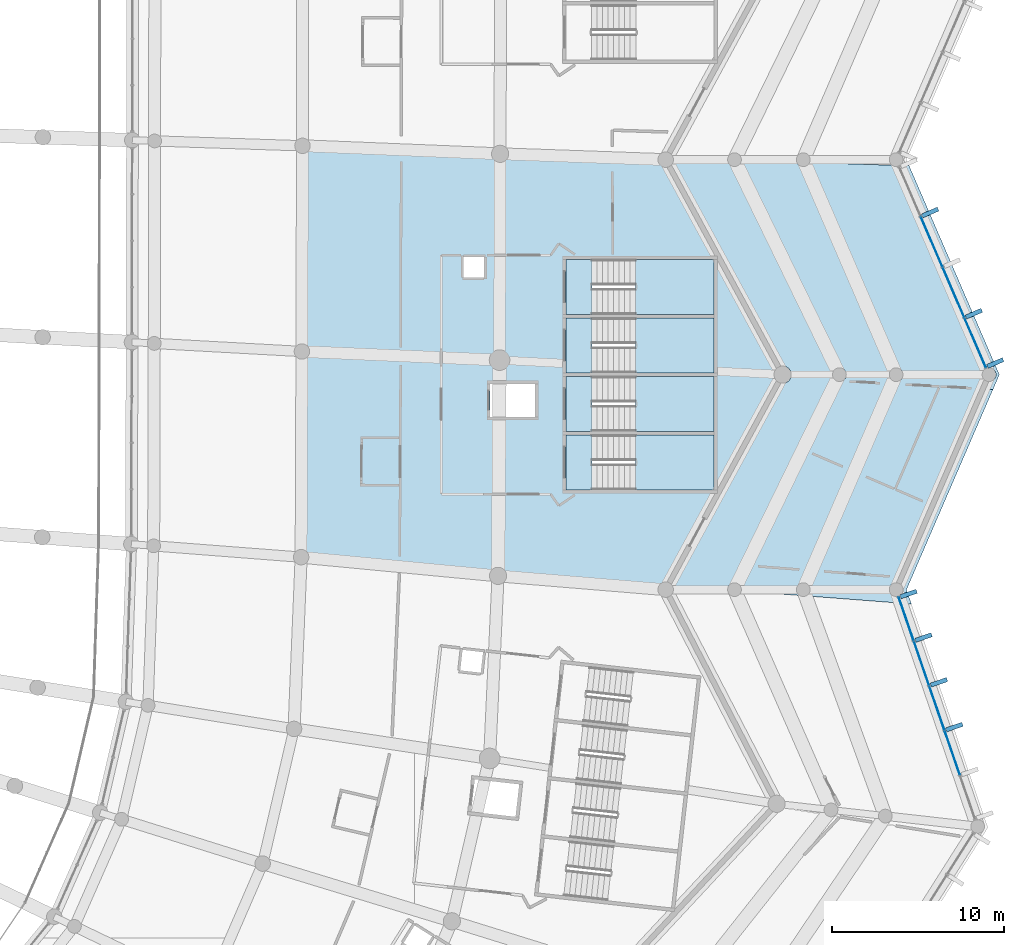
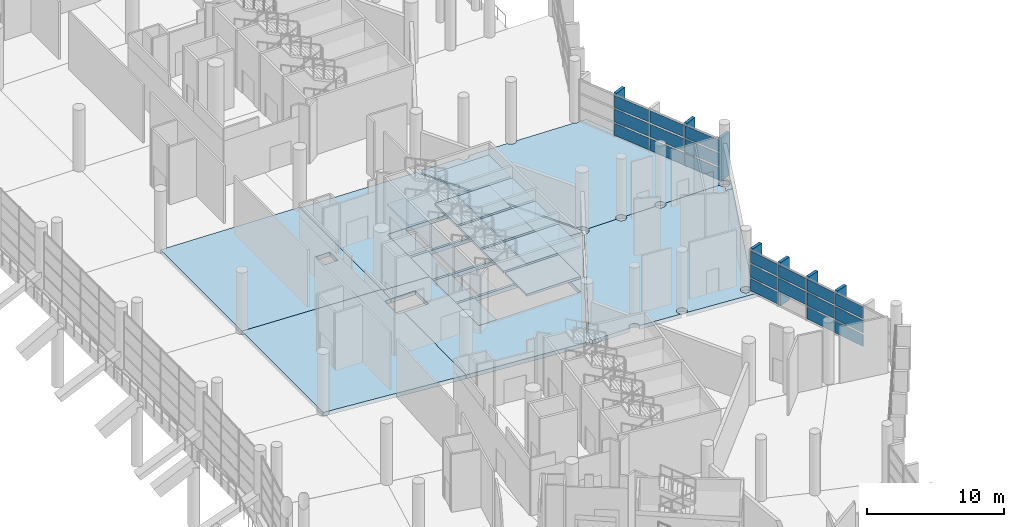
# One storey, part 134 of 271: 27 plates, 22 slabs, 6 elements without a shape of their own.
"""IFC4 building model written with IfcOpenShell, lengths in metres."""

import ifcopenshell
import ifcopenshell.guid

model = None  # the IFC model being written
_history = None  # IfcOwnerHistory: only IFC2X3 demands one
_inside = {}  # id of a spatial element -> (the spatial element, [elements in it])
_under = {}  # id of a project, library or spatial element -> (it, [spatial elements below it])
_declared = {}  # id of a project -> (the project, [libraries it declares])
_typed = {}  # id of a type object -> (the type object, [elements of that type])
_made_of = {}  # id of a material, layer set ... -> (it, [elements and type objects made of it])


def new_model(schema):
    """Start an empty IFC model of exactly this schema.

    Asked for "IFC4X3", IfcOpenShell would pick the latest addendum, in which some entities
    have other attributes; the version numbers below select the first issue.
    IFC2X3 requires an IfcOwnerHistory on every rooted entity: one is made here for all.
    """
    global model, _history
    if schema == "IFC4X3":
        model = ifcopenshell.file(schema_version=(4, 3, 0, 0))
    else:
        model = ifcopenshell.file(schema=schema)
    _inside.clear()
    _under.clear()
    _declared.clear()
    _typed.clear()
    _made_of.clear()
    _history = None
    if model.schema == "IFC2X3":
        org = make("IfcOrganization", Name="unknown")
        user = make(
            "IfcPersonAndOrganization",
            ThePerson=make("IfcPerson", FamilyName="unknown"),
            TheOrganization=org,
        )
        app = make(
            "IfcApplication",
            ApplicationDeveloper=org,
            Version="unknown",
            ApplicationFullName="unknown",
            ApplicationIdentifier="unknown",
        )
        _history = make(
            "IfcOwnerHistory",
            OwningUser=user,
            OwningApplication=app,
            ChangeAction="ADDED",
            CreationDate=0,
        )
    return model


def make(cls, **values):
    """One entity of the class cls with the attributes given. An attribute that is None is left unset."""
    return model.create_entity(
        cls, **{name: value for name, value in values.items() if value is not None}
    )


def rooted(cls, **values):
    """An entity with a GlobalId (a new one), such as an element, a storey or a relation."""
    return make(cls, GlobalId=ifcopenshell.guid.new(), OwnerHistory=_history, **values)


def si_unit(unit_type, name, prefix=None):
    """IfcSIUnit, for example si_unit("LENGTHUNIT", "METRE", prefix="MILLI")."""
    return make("IfcSIUnit", UnitType=unit_type, Prefix=prefix, Name=name)


def assignment(units):
    """IfcUnitAssignment: the units of a project."""
    return None if units is None else make("IfcUnitAssignment", Units=units)


def point(xyz):
    """IfcCartesianPoint."""
    return None if xyz is None else make("IfcCartesianPoint", Coordinates=xyz)


def direction(xyz):
    """IfcDirection."""
    return None if xyz is None else make("IfcDirection", DirectionRatios=xyz)


def frame(location, z_axis=None, x_axis=None):
    """IfcAxis2Placement3D, a coordinate frame: its origin and axes. An axis left out is left unset."""
    return make(
        "IfcAxis2Placement3D",
        Location=point(location),
        Axis=direction(z_axis),
        RefDirection=direction(x_axis),
    )


def frame_2d(location, x_axis=None):
    """IfcAxis2Placement2D, a coordinate frame in the plane: its origin and x axis."""
    return make(
        "IfcAxis2Placement2D", Location=point(location), RefDirection=direction(x_axis)
    )


def origin():
    """The frame at (0, 0, 0) with its axes left unset."""
    return frame((0.0, 0.0, 0.0))


def origin_2d():
    """The frame at (0, 0) in the plane with its x axis left unset."""
    return frame_2d((0.0, 0.0))


def place(relative_to, where):
    """IfcLocalPlacement: puts the frame where relative to a parent placement (None: the world)."""
    return make(
        "IfcLocalPlacement", PlacementRelTo=relative_to, RelativePlacement=where
    )


def context(
    kind, dimensions, precision=None, world=None, true_north=None, identifier=None
):
    """IfcGeometricRepresentationContext, for example the 3D "Model" context."""
    return make(
        "IfcGeometricRepresentationContext",
        ContextIdentifier=identifier,
        ContextType=kind,
        CoordinateSpaceDimension=dimensions,
        Precision=precision,
        WorldCoordinateSystem=world,
        TrueNorth=true_north,
    )


def subcontext(parent, identifier, kind, view, scale=None):
    """IfcGeometricRepresentationSubContext, for example "Body" below "Model"."""
    return make(
        "IfcGeometricRepresentationSubContext",
        ContextIdentifier=identifier,
        ContextType=kind,
        ParentContext=parent,
        TargetScale=scale,
        TargetView=view,
    )


def project(units=None, contexts=None):
    """IfcProject with its units and contexts."""
    return rooted(
        "IfcProject",
        Name="project",
        RepresentationContexts=contexts,
        UnitsInContext=assignment(units),
    )


def spatial(cls, under=None, at=None, **own):
    """A site, building, storey or space (cls), placed at a placement, below another one or the project."""
    s = rooted(cls, ObjectPlacement=at, **own)
    if under is not None:
        _under.setdefault(under.id(), (under, []))[1].append(s)
    return s


def polyline(points):
    """IfcPolyline through the points."""
    return make("IfcPolyline", Points=[point(p) for p in points])


def profile(cls, at=None, kind="AREA", **sizes):
    """A parametric profile (cls). Its sizes go by their IFC names, for example OverallWidth=200.0."""
    return make(cls, ProfileType=kind, Position=at, **sizes)


def rectangle(**sizes):
    """IfcRectangleProfileDef."""
    return profile("IfcRectangleProfileDef", **sizes)


def outline(outer, holes=None, kind="AREA"):
    """IfcArbitraryClosedProfileDef: a profile drawn as a closed curve; with holes, ...WithVoids."""
    if holes is None:
        return make("IfcArbitraryClosedProfileDef", ProfileType=kind, OuterCurve=outer)
    return make(
        "IfcArbitraryProfileDefWithVoids",
        ProfileType=kind,
        OuterCurve=outer,
        InnerCurves=holes,
    )


def extrude(swept, where, along, depth):
    """IfcExtrudedAreaSolid: the profile swept, set in the frame where, extruded along a direction by depth."""
    return make(
        "IfcExtrudedAreaSolid",
        SweptArea=swept,
        Position=where,
        ExtrudedDirection=direction(along),
        Depth=depth,
    )


def shape(context_of_items, identifier, shape_type, items):
    """IfcShapeRepresentation: the items that make up one representation, for example the "Body"."""
    return make(
        "IfcShapeRepresentation",
        ContextOfItems=context_of_items,
        RepresentationIdentifier=identifier,
        RepresentationType=shape_type,
        Items=items,
    )


def material(Name=None, Category=None):
    """IfcMaterial."""
    return make("IfcMaterial", Name=Name, Category=Category)


def layer(
    of_material, thickness, ventilated=None, Name=None, Category=None, Priority=None
):
    """IfcMaterialLayer: one layer of a wall or slab, of a material (None: an air gap)."""
    return make(
        "IfcMaterialLayer",
        Material=of_material,
        LayerThickness=thickness,
        IsVentilated=ventilated,
        Name=Name,
        Category=Category,
        Priority=Priority,
    )


def layer_set(layers, Name=None):
    """IfcMaterialLayerSet."""
    return make("IfcMaterialLayerSet", MaterialLayers=layers, LayerSetName=Name)


def made_of(thing, what):
    """Note that an element or type object is made of a material, layer set ...; save() writes the relation."""
    if what is not None:
        _made_of.setdefault(what.id(), (what, []))[1].append(thing)
    return thing


def type_object(cls, material=None, **own):
    """A type object (cls), such as IfcWallType, which elements share."""
    return made_of(rooted(cls, **own), material)


def element(
    cls,
    number,
    at=None,
    inside=None,
    cuts=None,
    type_object=None,
    material=None,
    context=None,
    identifier="Body",
    shape_type=None,
    held_by="IfcProductDefinitionShape",
    body=None,
    shapes=None,
    **own,
):
    """One element of the class cls, such as IfcWall. Its Tag is "e" and its number.

    at: its placement. inside: the storey or other place that contains it. cuts: it is an
    opening in that element (IfcRelVoidsElement). A single representation is given by context,
    identifier, shape_type and body (its items); several are given by shapes. held_by: the class
    of the entity that holds the representations. save() writes the other relations.
    """
    e = rooted(cls, Tag="e%d" % number, ObjectPlacement=at, **own)
    if body is not None:
        shapes = [shape(context, identifier, shape_type, body)]
    if shapes is not None:
        e.Representation = make(held_by, Representations=shapes)
    if inside is not None:
        _inside.setdefault(inside.id(), (inside, []))[1].append(e)
    if cuts is not None:
        rooted(
            "IfcRelVoidsElement", RelatingBuildingElement=cuts, RelatedOpeningElement=e
        )
    if type_object is not None:
        _typed.setdefault(type_object.id(), (type_object, []))[1].append(e)
    return made_of(e, material)


def aggregate(whole, parts):
    """IfcRelAggregates: a whole, such as a stair, and the parts it consists of."""
    return rooted("IfcRelAggregates", RelatingObject=whole, RelatedObjects=parts)


def save(model, path):
    """Write the relations noted so far, then the file.

    IfcRelAggregates (storeys below a building ...), IfcRelContainedInSpatialStructure (elements
    in a storey), IfcRelDefinesByType, IfcRelAssociatesMaterial and IfcRelDeclares: one each for
    every whole, place, type object, material and project.
    """
    for whole, parts in _under.values():
        aggregate(whole, parts)
    for where, things in _inside.values():
        rooted(
            "IfcRelContainedInSpatialStructure",
            RelatedElements=things,
            RelatingStructure=where,
        )
    for kind, things in _typed.values():
        rooted("IfcRelDefinesByType", RelatedObjects=things, RelatingType=kind)
    for what, things in _made_of.values():
        rooted("IfcRelAssociatesMaterial", RelatedObjects=things, RelatingMaterial=what)
    for by, libraries in _declared.values():
        rooted("IfcRelDeclares", RelatingContext=by, RelatedDefinitions=libraries)
    model.write(path)


model = new_model("IFC4")

# Units and contexts
model_context = context("Model", 3, precision=1e-05, world=origin(), true_north=direction((0.0, 1.0)))
body_context = subcontext(model_context, "Body", "Model", "MODEL_VIEW")
ifc_project = project(units=[si_unit("LENGTHUNIT", "METRE"), si_unit("AREAUNIT", "SQUARE_METRE"), si_unit("VOLUMEUNIT", "CUBIC_METRE"), si_unit("PLANEANGLEUNIT", "RADIAN"), si_unit("MASSUNIT", "GRAM", prefix="KILO")], contexts=[model_context])

# Site, building, storey
site_placement = place(None, origin())
site = spatial("IfcSite", under=ifc_project, at=site_placement, CompositionType="ELEMENT")
building_placement = place(site_placement, origin())
building = spatial("IfcBuilding", under=site, at=building_placement, Name="Meseta Stadium", CompositionType="ELEMENT")
storey_placement = place(building_placement, frame((0.0, 0.0, 6.5)))
storey = spatial("IfcBuildingStorey", under=building, at=storey_placement, Name="L01", CompositionType="ELEMENT", Elevation=6.5)

# Slabs
ifc_material_1 = material(Name="Concrete C40/50", Category="concrete")
ifc_layer_1 = layer(ifc_material_1, 0.35009765625)
ifc_layer_set_1 = layer_set([ifc_layer_1], Name="Floor slab 350")
slab_type_1 = type_object("IfcSlabType", Name="Floor slab 350", PredefinedType="FLOOR", material=ifc_layer_set_1)
slab_1_placement = place(storey_placement, frame((0.0, 0.0, -0.35009765625)))
element("IfcSlab", 1, at=slab_1_placement, inside=storey, type_object=slab_type_1, Name="Floor slab L01 sector 00 panel 10", PredefinedType="FLOOR", context=body_context, shape_type="SweptSolid", body=[
    extrude(outline(polyline([(84.940673828125, -30.404052734375), (73.451416015625, -29.904052734375), (73.40478515625, -41.8623046875), (84.85400390625, -42.948486328125), (84.91796875, -33.699951171875), (84.39990234375, -33.699951171875), (84.39990234375, -31.800048828125), (84.93115234375, -31.800048828125), (84.940673828125, -30.404052734375)])), origin(), (0.0, 0.0, 1.0), 0.35009765625),
])
slab_2_placement = place(storey_placement, frame((0.0, 0.0, -0.35009765625)))
element("IfcSlab", 2, at=slab_2_placement, inside=storey, type_object=slab_type_1, Name="Floor slab L01 sector 00 panel 11", PredefinedType="FLOOR", context=body_context, shape_type="SweptSolid", body=[
    extrude(outline(polyline([(73.451416015625, -29.904052734375), (84.940673828125, -30.404052734375), (84.973388671875, -18.321533203125), (73.482421875, -17.943603515625), (73.451416015625, -29.904052734375)]), holes=[polyline([(82.85009765625, -25.60009765625), (82.85009765625, -24.39990234375), (84.050048828125, -24.39990234375), (84.050048828125, -25.60009765625), (82.85009765625, -25.60009765625)])]), origin(), (0.0, 0.0, 1.0), 0.35009765625),
])
slab_3_placement = place(storey_placement, frame((0.0, 0.0, -0.35009765625)))
element("IfcSlab", 3, at=slab_3_placement, inside=storey, type_object=slab_type_1, Name="Floor slab L01 sector 00 panel 16", PredefinedType="FLOOR", context=body_context, shape_type="SweptSolid", body=[
    extrude(outline(polyline([(96.176025390625, -31.14990234375), (101.301513671875, -31.430908203125), (101.39990234375, -31.25), (94.60009765625, -18.75), (84.97314453125, -18.41064453125), (84.939697265625, -30.533935546875), (88.800048828125, -30.74560546875), (88.800048828125, -27.949951171875), (97.39990234375, -27.949951171875), (97.39990234375, -31.14990234375), (96.176025390625, -31.14990234375)]), holes=[polyline([(97.39990234375, -27.75), (88.800048828125, -27.75), (88.800048828125, -24.550048828125), (97.39990234375, -24.550048828125), (97.39990234375, -27.75)])]), origin(), (0.0, 0.0, 1.0), 0.35009765625),
])
slab_4_placement = place(storey_placement, frame((0.0, 0.0, -0.35009765625)))
element("IfcSlab", 4, at=slab_4_placement, inside=storey, type_object=slab_type_1, Name="Floor slab L01 sector 00 panel 18", PredefinedType="FLOOR", context=body_context, shape_type="SweptSolid", body=[
    extrude(outline(polyline([(84.91796875, -33.699951171875), (84.85400390625, -42.948486328125), (94.60009765625, -43.75), (101.301513671875, -31.430908203125), (96.176025390625, -31.14990234375), (88.800048828125, -31.14990234375), (88.800048828125, -30.74560546875), (84.939697265625, -30.533935546875), (84.93115234375, -31.800048828125), (87.0, -31.800048828125), (87.0, -33.699951171875), (84.91796875, -33.699951171875)]), holes=[polyline([(88.800048828125, -34.75), (97.39990234375, -34.75), (97.39990234375, -37.949951171875), (88.800048828125, -37.949951171875), (88.800048828125, -34.75)]), polyline([(88.800048828125, -31.35009765625), (97.39990234375, -31.35009765625), (97.39990234375, -34.550048828125), (88.800048828125, -34.550048828125), (88.800048828125, -31.35009765625)])]), origin(), (0.0, 0.0, 1.0), 0.35009765625),
])
slab_5_placement = place(storey_placement, frame((0.0, 0.0, -0.35009765625)))
element("IfcSlab", 5, at=slab_5_placement, inside=storey, type_object=slab_type_1, Name="Ring floor slab L01 8 part 2 panel 02", PredefinedType="FLOOR", context=body_context, shape_type="SweptSolid", body=[
    extrude(outline(polyline([(104.804443359375, -31.6396484375), (104.699951171875, -31.653564453125), (104.595703125, -31.6396484375), (104.498291015625, -31.599365234375), (104.414794921875, -31.535400390625), (104.3505859375, -31.45166015625), (104.310302734375, -31.3544921875), (104.29638671875, -31.25), (101.904296875, -31.25), (101.88720703125, -31.380615234375), (101.836669921875, -31.502197265625), (101.756591796875, -31.606689453125), (101.652099609375, -31.686767578125), (101.530517578125, -31.737060546875), (101.39990234375, -31.75439453125), (101.30322265625, -31.74169921875), (94.935302734375, -43.44775390625), (94.9931640625, -43.523193359375), (95.038330078125, -43.632568359375), (95.053955078125, -43.75), (98.196533203125, -43.75), (98.210205078125, -43.6455078125), (98.25048828125, -43.54833984375), (98.314697265625, -43.464599609375), (98.398193359375, -43.400634765625), (98.49560546875, -43.3603515625), (98.60009765625, -43.346435546875), (98.704345703125, -43.3603515625), (98.8017578125, -43.400634765625), (98.88525390625, -43.464599609375), (98.949462890625, -43.54833984375), (98.98974609375, -43.6455078125), (99.00341796875, -43.75), (98.993408203125, -43.826171875), (102.381103515625, -44.086181640625), (102.314697265625, -44.035400390625), (102.25048828125, -43.95166015625), (102.210205078125, -43.8544921875), (102.196533203125, -43.75), (102.210205078125, -43.6455078125), (102.25048828125, -43.54833984375), (102.314697265625, -43.464599609375), (102.398193359375, -43.400634765625), (102.49560546875, -43.3603515625), (102.60009765625, -43.346435546875), (102.704345703125, -43.3603515625), (102.8017578125, -43.400634765625), (102.88525390625, -43.464599609375), (102.949462890625, -43.54833984375), (102.98974609375, -43.6455078125), (103.00341796875, -43.75), (102.98974609375, -43.8544921875), (102.949462890625, -43.95166015625), (102.88525390625, -44.035400390625), (102.8017578125, -44.099365234375), (102.7626953125, -44.115478515625), (108.885986328125, -44.58544921875), (108.60009765625, -43.75), (113.6298828125, -32.10693359375), (113.043701171875, -32.07470703125), (113.241455078125, -31.6171875), (113.1982421875, -31.599365234375), (113.11474609375, -31.535400390625), (113.050537109375, -31.45166015625), (113.01025390625, -31.3544921875), (112.99658203125, -31.25), (108.403564453125, -31.25), (108.3896484375, -31.3544921875), (108.349365234375, -31.45166015625), (108.285400390625, -31.535400390625), (108.20166015625, -31.599365234375), (108.1044921875, -31.6396484375), (108.0, -31.653564453125), (107.8955078125, -31.6396484375), (107.79833984375, -31.599365234375), (107.714599609375, -31.535400390625), (107.650634765625, -31.45166015625), (107.6103515625, -31.3544921875), (107.596435546875, -31.25), (105.103515625, -31.25), (105.089599609375, -31.3544921875), (105.04931640625, -31.45166015625), (104.9853515625, -31.535400390625), (104.901611328125, -31.599365234375), (104.804443359375, -31.6396484375)]), holes=[polyline([(108.0, -43.346435546875), (108.1044921875, -43.3603515625), (108.20166015625, -43.400634765625), (108.285400390625, -43.464599609375), (108.349365234375, -43.54833984375), (108.3896484375, -43.6455078125), (108.403564453125, -43.75), (108.3896484375, -43.8544921875), (108.349365234375, -43.95166015625), (108.285400390625, -44.035400390625), (108.20166015625, -44.099365234375), (108.1044921875, -44.1396484375), (108.0, -44.153564453125), (107.8955078125, -44.1396484375), (107.79833984375, -44.099365234375), (107.714599609375, -44.035400390625), (107.650634765625, -43.95166015625), (107.6103515625, -43.8544921875), (107.596435546875, -43.75), (107.6103515625, -43.6455078125), (107.650634765625, -43.54833984375), (107.714599609375, -43.464599609375), (107.79833984375, -43.400634765625), (107.8955078125, -43.3603515625), (108.0, -43.346435546875)])]), origin(), (0.0, 0.0, 1.0), 0.35009765625),
])
slab_6_placement = place(storey_placement, frame((0.0, 0.0, -0.35009765625)))
element("IfcSlab", 6, at=slab_6_placement, inside=storey, type_object=slab_type_1, Name="Ring floor slab L01 8 part 2 panel 04", PredefinedType="FLOOR", context=body_context, shape_type="SweptSolid", body=[
    extrude(outline(polyline([(98.210205078125, -18.8544921875), (98.196533203125, -18.75), (95.053955078125, -18.75), (95.038330078125, -18.867431640625), (94.9931640625, -18.976806640625), (94.935302734375, -19.05224609375), (101.30322265625, -30.75830078125), (101.39990234375, -30.74560546875), (101.530517578125, -30.762939453125), (101.652099609375, -30.813232421875), (101.756591796875, -30.893310546875), (101.836669921875, -30.997802734375), (101.88720703125, -31.119384765625), (101.904296875, -31.25), (104.29638671875, -31.25), (104.310302734375, -31.1455078125), (104.3505859375, -31.04833984375), (104.414794921875, -30.964599609375), (104.498291015625, -30.900634765625), (104.595703125, -30.8603515625), (104.699951171875, -30.846435546875), (104.804443359375, -30.8603515625), (104.901611328125, -30.900634765625), (104.9853515625, -30.964599609375), (105.04931640625, -31.04833984375), (105.089599609375, -31.1455078125), (105.103515625, -31.25), (107.596435546875, -31.25), (107.6103515625, -31.1455078125), (107.650634765625, -31.04833984375), (107.714599609375, -30.964599609375), (107.79833984375, -30.900634765625), (107.8955078125, -30.8603515625), (108.0, -30.846435546875), (108.1044921875, -30.8603515625), (108.20166015625, -30.900634765625), (108.285400390625, -30.964599609375), (108.349365234375, -31.04833984375), (108.3896484375, -31.1455078125), (108.403564453125, -31.25), (112.99658203125, -31.25), (113.01025390625, -31.1455078125), (113.050537109375, -31.04833984375), (113.11474609375, -30.964599609375), (113.1982421875, -30.900634765625), (113.295654296875, -30.8603515625), (113.39990234375, -30.846435546875), (113.50439453125, -30.8603515625), (113.601806640625, -30.900634765625), (113.685302734375, -30.964599609375), (113.74951171875, -31.04833984375), (113.789794921875, -31.1455078125), (113.803466796875, -31.25), (113.789794921875, -31.3544921875), (113.74951171875, -31.45166015625), (113.685302734375, -31.535400390625), (113.601806640625, -31.599365234375), (113.50439453125, -31.6396484375), (113.39990234375, -31.653564453125), (113.295654296875, -31.6396484375), (113.241455078125, -31.6171875), (113.043701171875, -32.07470703125), (113.6298828125, -32.10693359375), (114.0, -31.25), (108.752685546875, -19.103759765625), (108.218994140625, -19.086181640625), (108.20166015625, -19.099365234375), (108.1044921875, -19.1396484375), (108.0, -19.153564453125), (107.8955078125, -19.1396484375), (107.79833984375, -19.099365234375), (107.761474609375, -19.071044921875), (102.96533203125, -18.913330078125), (102.949462890625, -18.95166015625), (102.88525390625, -19.035400390625), (102.8017578125, -19.099365234375), (102.704345703125, -19.1396484375), (102.60009765625, -19.153564453125), (102.49560546875, -19.1396484375), (102.398193359375, -19.099365234375), (102.314697265625, -19.035400390625), (102.25048828125, -18.95166015625), (102.224609375, -18.888916015625), (98.999267578125, -18.782958984375), (98.98974609375, -18.8544921875), (98.949462890625, -18.95166015625), (98.88525390625, -19.035400390625), (98.8017578125, -19.099365234375), (98.704345703125, -19.1396484375), (98.60009765625, -19.153564453125), (98.49560546875, -19.1396484375), (98.398193359375, -19.099365234375), (98.314697265625, -19.035400390625), (98.25048828125, -18.95166015625), (98.210205078125, -18.8544921875)])), origin(), (0.0, 0.0, 1.0), 0.35009765625),
])

# Curtain wall, plates
ifc_material_2 = material(Name="Aluminium", Category="aluminium")
ifc_layer_2 = layer(ifc_material_2, 0.199951171875)
ifc_layer_set_2 = layer_set([ifc_layer_2], Name="Ring shopfront curtain wall")
curtain_wall_type = type_object("IfcCurtainWallType", Name="Ring shopfront curtain wall", PredefinedType="NOTDEFINED", material=ifc_layer_set_2)
curtain_wall_1_placement = place(storey_placement, origin())
curtain_wall_1 = element("IfcCurtainWall", 7, at=curtain_wall_1_placement, inside=storey, type_object=curtain_wall_type, Name="Ring glazing L01 F00", PredefinedType="NOTDEFINED")
ifc_material_3 = material(Name="Glass", Category="glass")
ifc_layer_3 = layer(ifc_material_3, 0.035888671875)
ifc_layer_set_3 = layer_set([ifc_layer_3], Name="Ring CW glass panel 36")
plate_type_1 = type_object("IfcPlateType", Name="Ring CW glass panel 36", PredefinedType="CURTAIN_PANEL", material=ifc_layer_set_3)
plate_1_placement = place(storey_placement, frame((111.264892578125, -53.237548828125, 0.14990234375), z_axis=(0.0, 0.0, 1.0), x_axis=(-0.325385990532, 0.945581280042, 0.0)))
plate_1 = element("IfcPlate", 8, at=plate_1_placement, type_object=plate_type_1, Name="CWR1 panel 2.1", PredefinedType="CURTAIN_PANEL", context=body_context, shape_type="SweptSolid", body=[
    extrude(rectangle(XDim=2.6923828125, YDim=0.035888671875, at=origin_2d()), origin(), (0.0, 0.0, 1.0), 1.058349609375),
])
plate_2_placement = place(storey_placement, frame((111.264892578125, -53.237548828125, 1.3583984375), z_axis=(0.0, 0.0, 1.0), x_axis=(-0.325385990532, 0.945581280042, 0.0)))
plate_2 = element("IfcPlate", 9, at=plate_2_placement, type_object=plate_type_1, Name="CWR1 panel 2.2", PredefinedType="CURTAIN_PANEL", context=body_context, shape_type="SweptSolid", body=[
    extrude(rectangle(XDim=2.6923828125, YDim=0.035888671875, at=origin_2d()), origin(), (0.0, 0.0, 1.0), 1.13330078125),
])
plate_3_placement = place(storey_placement, frame((111.264892578125, -53.237548828125, 2.6416015625), z_axis=(0.0, 0.0, 1.0), x_axis=(-0.325385990532, 0.945581280042, 0.0)))
plate_3 = element("IfcPlate", 10, at=plate_3_placement, type_object=plate_type_1, Name="CWR1 panel 2.3", PredefinedType="CURTAIN_PANEL", context=body_context, shape_type="SweptSolid", body=[
    extrude(rectangle(XDim=2.6923828125, YDim=0.035888671875, at=origin_2d()), origin(), (0.0, 0.0, 1.0), 1.058349609375),
])
plate_4_placement = place(storey_placement, frame((110.369140625, -50.634765625, 0.14990234375), z_axis=(0.0, 0.0, 1.0), x_axis=(-0.325385990532, 0.945581280042, 0.0)))
plate_4 = element("IfcPlate", 11, at=plate_4_placement, type_object=plate_type_1, Name="CWR1 panel 3.1", PredefinedType="CURTAIN_PANEL", context=body_context, shape_type="SweptSolid", body=[
    extrude(rectangle(XDim=2.6923828125, YDim=0.035888671875, at=origin_2d()), origin(), (0.0, 0.0, 1.0), 1.058349609375),
])
plate_5_placement = place(storey_placement, frame((110.369140625, -50.634765625, 1.3583984375), z_axis=(0.0, 0.0, 1.0), x_axis=(-0.325385990532, 0.945581280042, 0.0)))
plate_5 = element("IfcPlate", 12, at=plate_5_placement, type_object=plate_type_1, Name="CWR1 panel 3.2", PredefinedType="CURTAIN_PANEL", context=body_context, shape_type="SweptSolid", body=[
    extrude(rectangle(XDim=2.6923828125, YDim=0.035888671875, at=origin_2d()), origin(), (0.0, 0.0, 1.0), 1.13330078125),
])
plate_6_placement = place(storey_placement, frame((110.369140625, -50.634765625, 2.6416015625), z_axis=(0.0, 0.0, 1.0), x_axis=(-0.325385990532, 0.945581280042, 0.0)))
plate_6 = element("IfcPlate", 13, at=plate_6_placement, type_object=plate_type_1, Name="CWR1 panel 3.3", PredefinedType="CURTAIN_PANEL", context=body_context, shape_type="SweptSolid", body=[
    extrude(rectangle(XDim=2.6923828125, YDim=0.035888671875, at=origin_2d()), origin(), (0.0, 0.0, 1.0), 1.058349609375),
])
plate_7_placement = place(storey_placement, frame((109.4736328125, -48.0322265625, 1.3583984375), z_axis=(0.0, 0.0, 1.0), x_axis=(-0.325385990532, 0.945581280042, 0.0)))
plate_7 = element("IfcPlate", 14, at=plate_7_placement, type_object=plate_type_1, Name="CWR1 panel 4.2", PredefinedType="CURTAIN_PANEL", context=body_context, shape_type="SweptSolid", body=[
    extrude(rectangle(XDim=2.6923828125, YDim=0.035888671875, at=origin_2d()), origin(), (0.0, 0.0, 1.0), 1.13330078125),
])
plate_8_placement = place(storey_placement, frame((109.4736328125, -48.0322265625, 2.6416015625), z_axis=(0.0, 0.0, 1.0), x_axis=(-0.325385990532, 0.945581280042, 0.0)))
plate_8 = element("IfcPlate", 15, at=plate_8_placement, type_object=plate_type_1, Name="CWR1 panel 4.3", PredefinedType="CURTAIN_PANEL", context=body_context, shape_type="SweptSolid", body=[
    extrude(rectangle(XDim=2.6923828125, YDim=0.035888671875, at=origin_2d()), origin(), (0.0, 0.0, 1.0), 1.058349609375),
])
plate_9_placement = place(storey_placement, frame((108.582763671875, -45.443603515625, 0.14990234375), z_axis=(0.0, 0.0, 1.0), x_axis=(-0.325385990532, 0.945581280042, 0.0)))
plate_9 = element("IfcPlate", 16, at=plate_9_placement, type_object=plate_type_1, Name="CWR1 panel 5.1", PredefinedType="CURTAIN_PANEL", context=body_context, shape_type="SweptSolid", body=[
    extrude(rectangle(XDim=2.662353515625, YDim=0.035888671875, at=origin_2d()), origin(), (0.0, 0.0, 1.0), 1.058349609375),
])
plate_10_placement = place(storey_placement, frame((108.582763671875, -45.443603515625, 1.3583984375), z_axis=(0.0, 0.0, 1.0), x_axis=(-0.325385990532, 0.945581280042, 0.0)))
plate_10 = element("IfcPlate", 17, at=plate_10_placement, type_object=plate_type_1, Name="CWR1 panel 5.2", PredefinedType="CURTAIN_PANEL", context=body_context, shape_type="SweptSolid", body=[
    extrude(rectangle(XDim=2.662353515625, YDim=0.035888671875, at=origin_2d()), origin(), (0.0, 0.0, 1.0), 1.13330078125),
])
plate_11_placement = place(storey_placement, frame((108.582763671875, -45.443603515625, 2.6416015625), z_axis=(0.0, 0.0, 1.0), x_axis=(-0.325385990532, 0.945581280042, 0.0)))
plate_11 = element("IfcPlate", 18, at=plate_11_placement, type_object=plate_type_1, Name="CWR1 panel 5.3", PredefinedType="CURTAIN_PANEL", context=body_context, shape_type="SweptSolid", body=[
    extrude(rectangle(XDim=2.662353515625, YDim=0.035888671875, at=origin_2d()), origin(), (0.0, 0.0, 1.0), 1.058349609375),
])
aggregate(curtain_wall_1, [plate_1, plate_2, plate_3, plate_4, plate_5, plate_6, plate_7, plate_8, plate_9, plate_10, plate_11])

curtain_wall_2_placement = place(storey_placement, origin())
curtain_wall_2 = element("IfcCurtainWall", 19, at=curtain_wall_2_placement, inside=storey, type_object=curtain_wall_type, Name="Ring glazing L01 F02", PredefinedType="NOTDEFINED")
plate_12_placement = place(storey_placement, frame((112.60009765625, -29.3984375, 0.14990234375), z_axis=(0.0, 0.0, 1.0), x_axis=(-0.396580687073, 0.91799986854, 0.0)))
plate_12 = element("IfcPlate", 20, at=plate_12_placement, type_object=plate_type_1, Name="CWR1 panel 1.1", PredefinedType="CURTAIN_PANEL", context=body_context, shape_type="SweptSolid", body=[
    extrude(rectangle(XDim=3.1142578125, YDim=0.035888671875, at=origin_2d()), origin(), (0.0, 0.0, 1.0), 1.058349609375),
])
plate_13_placement = place(storey_placement, frame((112.60009765625, -29.3984375, 1.3583984375), z_axis=(0.0, 0.0, 1.0), x_axis=(-0.396580687073, 0.91799986854, 0.0)))
plate_13 = element("IfcPlate", 21, at=plate_13_placement, type_object=plate_type_1, Name="CWR1 panel 1.2", PredefinedType="CURTAIN_PANEL", context=body_context, shape_type="SweptSolid", body=[
    extrude(rectangle(XDim=3.1142578125, YDim=0.035888671875, at=origin_2d()), origin(), (0.0, 0.0, 1.0), 1.13330078125),
])
plate_14_placement = place(storey_placement, frame((112.60009765625, -29.3984375, 2.6416015625), z_axis=(0.0, 0.0, 1.0), x_axis=(-0.396580687073, 0.91799986854, 0.0)))
plate_14 = element("IfcPlate", 22, at=plate_14_placement, type_object=plate_type_1, Name="CWR1 panel 1.3", PredefinedType="CURTAIN_PANEL", context=body_context, shape_type="SweptSolid", body=[
    extrude(rectangle(XDim=3.1142578125, YDim=0.035888671875, at=origin_2d()), origin(), (0.0, 0.0, 1.0), 1.058349609375),
])
plate_15_placement = place(storey_placement, frame((111.33544921875, -26.470703125, 0.14990234375), z_axis=(0.0, 0.0, 1.0), x_axis=(-0.396580687073, 0.91799986854, 0.0)))
plate_15 = element("IfcPlate", 23, at=plate_15_placement, type_object=plate_type_1, Name="CWR1 panel 2.1", PredefinedType="CURTAIN_PANEL", context=body_context, shape_type="SweptSolid", body=[
    extrude(rectangle(XDim=3.14404296875, YDim=0.035888671875, at=origin_2d()), origin(), (0.0, 0.0, 1.0), 1.058349609375),
])
plate_16_placement = place(storey_placement, frame((111.33544921875, -26.470703125, 1.3583984375), z_axis=(0.0, 0.0, 1.0), x_axis=(-0.396580687073, 0.91799986854, 0.0)))
plate_16 = element("IfcPlate", 24, at=plate_16_placement, type_object=plate_type_1, Name="CWR1 panel 2.2", PredefinedType="CURTAIN_PANEL", context=body_context, shape_type="SweptSolid", body=[
    extrude(rectangle(XDim=3.14404296875, YDim=0.035888671875, at=origin_2d()), origin(), (0.0, 0.0, 1.0), 1.13330078125),
])
plate_17_placement = place(storey_placement, frame((111.33544921875, -26.470703125, 2.6416015625), z_axis=(0.0, 0.0, 1.0), x_axis=(-0.396580687073, 0.91799986854, 0.0)))
plate_17 = element("IfcPlate", 25, at=plate_17_placement, type_object=plate_type_1, Name="CWR1 panel 2.3", PredefinedType="CURTAIN_PANEL", context=body_context, shape_type="SweptSolid", body=[
    extrude(rectangle(XDim=3.14404296875, YDim=0.035888671875, at=origin_2d()), origin(), (0.0, 0.0, 1.0), 1.058349609375),
])
plate_18_placement = place(storey_placement, frame((110.064697265625, -23.529296875, 0.14990234375), z_axis=(0.0, 0.0, 1.0), x_axis=(-0.396580687073, 0.91799986854, 0.0)))
plate_18 = element("IfcPlate", 26, at=plate_18_placement, type_object=plate_type_1, Name="CWR1 panel 3.1", PredefinedType="CURTAIN_PANEL", context=body_context, shape_type="SweptSolid", body=[
    extrude(rectangle(XDim=3.14404296875, YDim=0.035888671875, at=origin_2d()), origin(), (0.0, 0.0, 1.0), 1.058349609375),
])
plate_19_placement = place(storey_placement, frame((110.064697265625, -23.529296875, 1.3583984375), z_axis=(0.0, 0.0, 1.0), x_axis=(-0.396580687073, 0.91799986854, 0.0)))
plate_19 = element("IfcPlate", 27, at=plate_19_placement, type_object=plate_type_1, Name="CWR1 panel 3.2", PredefinedType="CURTAIN_PANEL", context=body_context, shape_type="SweptSolid", body=[
    extrude(rectangle(XDim=3.14404296875, YDim=0.035888671875, at=origin_2d()), origin(), (0.0, 0.0, 1.0), 1.13330078125),
])
plate_20_placement = place(storey_placement, frame((110.064697265625, -23.529296875, 2.6416015625), z_axis=(0.0, 0.0, 1.0), x_axis=(-0.396580687073, 0.91799986854, 0.0)))
plate_20 = element("IfcPlate", 28, at=plate_20_placement, type_object=plate_type_1, Name="CWR1 panel 3.3", PredefinedType="CURTAIN_PANEL", context=body_context, shape_type="SweptSolid", body=[
    extrude(rectangle(XDim=3.14404296875, YDim=0.035888671875, at=origin_2d()), origin(), (0.0, 0.0, 1.0), 1.058349609375),
])
aggregate(curtain_wall_2, [plate_12, plate_13, plate_14, plate_15, plate_16, plate_17, plate_18, plate_19, plate_20])

# Plates
ifc_material_4 = material(Name="Precast concrete C40/50", Category="concrete")
ifc_layer_4 = layer(ifc_material_4, 0.25)
ifc_layer_set_4 = layer_set([ifc_layer_4], Name="Ring brise-soleil fin 250x1000")
plate_type_2 = type_object("IfcPlateType", Name="Ring brise-soleil fin 250x1000", PredefinedType="USERDEFINED", material=ifc_layer_set_4)
for number, where, z_axis, x_axis, name in (
    (29, (111.384521484375, -51.740966796875, 0.0), (0.0, 0.0, 1.0), (-0.325393223316, 0.945578791122, 0.0), "Brise-soleil fin L01 F00.3"),
    (30, (110.48876953125, -49.13818359375, 0.0), (0.0, 0.0, 1.0), (-0.325393223316, 0.945578791122, 0.0), "Brise-soleil fin L01 F00.4"),
    (31, (109.593017578125, -46.53564453125, 0.0), (0.0, 0.0, 1.0), (-0.325393223316, 0.945578791122, 0.0), "Brise-soleil fin L01 F00.5"),
    (32, (108.721923828125, -44.00390625, 0.0), (0.0, 0.0, 1.0), (-0.325393223316, 0.945578791122, 0.0), "Brise-soleil fin L01 F00.6"),
    (33, (113.762451171875, -30.575927734375, 0.0), (0.0, 0.0, 1.0), (-0.396575976693, 0.918001903435, 0.0), "Brise-soleil fin L01 F02.1"),
    (34, (112.521484375, -27.70361328125, 0.0), (0.0, 0.0, 1.0), (-0.396575976693, 0.918001903435, 0.0), "Brise-soleil fin L01 F02.2"),
    (35, (109.97998046875, -21.82080078125, 0.0), (0.0, 0.0, 1.0), (-0.396575976693, 0.918001903435, 0.0), "Brise-soleil fin L01 F02.4"),
):
    element("IfcPlate", number, at=place(storey_placement, frame(where, z_axis=z_axis, x_axis=x_axis)), inside=storey, type_object=plate_type_2, Name=name, ObjectType="FIN", PredefinedType="USERDEFINED", context=body_context, shape_type="SweptSolid", body=[
        extrude(rectangle(XDim=0.25, YDim=1.0, at=origin_2d()), origin(), (0.0, 0.0, 1.0), 3.85009765625),
    ])

# Stair, slabs
ifc_material_5 = material(Name="Concrete C40/50", Category="concrete")
stair_type = type_object("IfcStairType", Name="Exit stair 4 flights 153 mm risers", PredefinedType="HALF_TURN_STAIR", material=ifc_material_5)
stair_1_placement = place(storey_placement, origin())
stair_1 = element("IfcStair", 36, at=stair_1_placement, inside=storey, type_object=stair_type, Name="ST5 L01", PredefinedType="HALF_TURN_STAIR")
ifc_material_6 = material(Name="Concrete C40/50", Category="concrete")
ifc_layer_5 = layer(ifc_material_6, 0.199951171875)
ifc_layer_set_5 = layer_set([ifc_layer_5], Name="Stair landing 200")
slab_type_2 = type_object("IfcSlabType", Name="Stair landing 200", PredefinedType="LANDING", material=ifc_layer_set_5)
slab_7_placement = place(storey_placement, frame((0.0, 0.0, 1.175048828125)))
slab_7 = element("IfcSlab", 37, at=slab_7_placement, type_object=slab_type_2, Name="ST5 L01 landing 1", PredefinedType="LANDING", context=body_context, shape_type="SweptSolid", body=[
    extrude(outline(polyline([(92.85009765625, -37.949951171875), (97.39990234375, -37.949951171875), (97.39990234375, -34.75), (92.85009765625, -34.75), (92.85009765625, -37.949951171875)])), origin(), (0.0, 0.0, 1.0), 0.199951171875),
])
slab_8_placement = place(storey_placement, frame((0.0, 0.0, 2.550048828125)))
slab_8 = element("IfcSlab", 38, at=slab_8_placement, type_object=slab_type_2, Name="ST5 L01 landing 2", PredefinedType="LANDING", context=body_context, shape_type="SweptSolid", body=[
    extrude(outline(polyline([(88.800048828125, -37.949951171875), (90.31005859375, -37.949951171875), (90.31005859375, -34.75), (88.800048828125, -34.75), (88.800048828125, -37.949951171875)])), origin(), (0.0, 0.0, 1.0), 0.199951171875),
])
slab_9_placement = place(storey_placement, frame((0.0, 0.0, 3.925048828125)))
slab_9 = element("IfcSlab", 39, at=slab_9_placement, type_object=slab_type_2, Name="ST5 L01 landing 3", PredefinedType="LANDING", context=body_context, shape_type="SweptSolid", body=[
    extrude(outline(polyline([(92.85009765625, -37.949951171875), (97.39990234375, -37.949951171875), (97.39990234375, -34.75), (92.85009765625, -34.75), (92.85009765625, -37.949951171875)])), origin(), (0.0, 0.0, 1.0), 0.199951171875),
])
slab_10_placement = place(storey_placement, frame((0.0, 0.0, -0.199951171875)))
slab_10 = element("IfcSlab", 40, at=slab_10_placement, type_object=slab_type_2, Name="ST5 L01 landing 4", PredefinedType="LANDING", context=body_context, shape_type="SweptSolid", body=[
    extrude(outline(polyline([(88.800048828125, -37.949951171875), (90.31005859375, -37.949951171875), (90.31005859375, -34.75), (88.800048828125, -34.75), (88.800048828125, -37.949951171875)])), origin(), (0.0, 0.0, 1.0), 0.199951171875),
])
aggregate(stair_1, [slab_7, slab_8, slab_9, slab_10])

stair_2_placement = place(storey_placement, origin())
stair_2 = element("IfcStair", 41, at=stair_2_placement, inside=storey, type_object=stair_type, Name="ST6 L01", PredefinedType="HALF_TURN_STAIR")
slab_11_placement = place(storey_placement, frame((0.0, 0.0, 1.175048828125)))
slab_11 = element("IfcSlab", 42, at=slab_11_placement, type_object=slab_type_2, Name="ST6 L01 landing 1", PredefinedType="LANDING", context=body_context, shape_type="SweptSolid", body=[
    extrude(outline(polyline([(92.85009765625, -34.550048828125), (97.39990234375, -34.550048828125), (97.39990234375, -31.35009765625), (92.85009765625, -31.35009765625), (92.85009765625, -34.550048828125)])), origin(), (0.0, 0.0, 1.0), 0.199951171875),
])
slab_12_placement = place(storey_placement, frame((0.0, 0.0, 2.550048828125)))
slab_12 = element("IfcSlab", 43, at=slab_12_placement, type_object=slab_type_2, Name="ST6 L01 landing 2", PredefinedType="LANDING", context=body_context, shape_type="SweptSolid", body=[
    extrude(outline(polyline([(88.800048828125, -34.550048828125), (90.31005859375, -34.550048828125), (90.31005859375, -31.35009765625), (88.800048828125, -31.35009765625), (88.800048828125, -34.550048828125)])), origin(), (0.0, 0.0, 1.0), 0.199951171875),
])
slab_13_placement = place(storey_placement, frame((0.0, 0.0, 3.925048828125)))
slab_13 = element("IfcSlab", 44, at=slab_13_placement, type_object=slab_type_2, Name="ST6 L01 landing 3", PredefinedType="LANDING", context=body_context, shape_type="SweptSolid", body=[
    extrude(outline(polyline([(92.85009765625, -34.550048828125), (97.39990234375, -34.550048828125), (97.39990234375, -31.35009765625), (92.85009765625, -31.35009765625), (92.85009765625, -34.550048828125)])), origin(), (0.0, 0.0, 1.0), 0.199951171875),
])
slab_14_placement = place(storey_placement, frame((0.0, 0.0, -0.199951171875)))
slab_14 = element("IfcSlab", 45, at=slab_14_placement, type_object=slab_type_2, Name="ST6 L01 landing 4", PredefinedType="LANDING", context=body_context, shape_type="SweptSolid", body=[
    extrude(outline(polyline([(88.800048828125, -34.550048828125), (90.31005859375, -34.550048828125), (90.31005859375, -31.35009765625), (88.800048828125, -31.35009765625), (88.800048828125, -34.550048828125)])), origin(), (0.0, 0.0, 1.0), 0.199951171875),
])
aggregate(stair_2, [slab_11, slab_12, slab_13, slab_14])

stair_3_placement = place(storey_placement, origin())
stair_3 = element("IfcStair", 46, at=stair_3_placement, inside=storey, type_object=stair_type, Name="ST7 L01", PredefinedType="HALF_TURN_STAIR")
slab_15_placement = place(storey_placement, frame((0.0, 0.0, 1.175048828125)))
slab_15 = element("IfcSlab", 47, at=slab_15_placement, type_object=slab_type_2, Name="ST7 L01 landing 1", PredefinedType="LANDING", context=body_context, shape_type="SweptSolid", body=[
    extrude(outline(polyline([(92.85009765625, -31.14990234375), (97.39990234375, -31.14990234375), (97.39990234375, -27.949951171875), (92.85009765625, -27.949951171875), (92.85009765625, -31.14990234375)])), origin(), (0.0, 0.0, 1.0), 0.199951171875),
])
slab_16_placement = place(storey_placement, frame((0.0, 0.0, 2.550048828125)))
slab_16 = element("IfcSlab", 48, at=slab_16_placement, type_object=slab_type_2, Name="ST7 L01 landing 2", PredefinedType="LANDING", context=body_context, shape_type="SweptSolid", body=[
    extrude(outline(polyline([(88.800048828125, -31.14990234375), (90.31005859375, -31.14990234375), (90.31005859375, -27.949951171875), (88.800048828125, -27.949951171875), (88.800048828125, -31.14990234375)])), origin(), (0.0, 0.0, 1.0), 0.199951171875),
])
slab_17_placement = place(storey_placement, frame((0.0, 0.0, 3.925048828125)))
slab_17 = element("IfcSlab", 49, at=slab_17_placement, type_object=slab_type_2, Name="ST7 L01 landing 3", PredefinedType="LANDING", context=body_context, shape_type="SweptSolid", body=[
    extrude(outline(polyline([(92.85009765625, -31.14990234375), (97.39990234375, -31.14990234375), (97.39990234375, -27.949951171875), (92.85009765625, -27.949951171875), (92.85009765625, -31.14990234375)])), origin(), (0.0, 0.0, 1.0), 0.199951171875),
])
slab_18_placement = place(storey_placement, frame((0.0, 0.0, -0.199951171875)))
slab_18 = element("IfcSlab", 50, at=slab_18_placement, type_object=slab_type_2, Name="ST7 L01 landing 4", PredefinedType="LANDING", context=body_context, shape_type="SweptSolid", body=[
    extrude(outline(polyline([(88.800048828125, -31.14990234375), (90.31005859375, -31.14990234375), (90.31005859375, -27.949951171875), (88.800048828125, -27.949951171875), (88.800048828125, -31.14990234375)])), origin(), (0.0, 0.0, 1.0), 0.199951171875),
])
aggregate(stair_3, [slab_15, slab_16, slab_17, slab_18])

stair_4_placement = place(storey_placement, origin())
stair_4 = element("IfcStair", 51, at=stair_4_placement, inside=storey, type_object=stair_type, Name="ST8 L01", PredefinedType="HALF_TURN_STAIR")
slab_19_placement = place(storey_placement, frame((0.0, 0.0, 1.175048828125)))
slab_19 = element("IfcSlab", 52, at=slab_19_placement, type_object=slab_type_2, Name="ST8 L01 landing 1", PredefinedType="LANDING", context=body_context, shape_type="SweptSolid", body=[
    extrude(outline(polyline([(92.85009765625, -27.75), (97.39990234375, -27.75), (97.39990234375, -24.550048828125), (92.85009765625, -24.550048828125), (92.85009765625, -27.75)])), origin(), (0.0, 0.0, 1.0), 0.199951171875),
])
slab_20_placement = place(storey_placement, frame((0.0, 0.0, 2.550048828125)))
slab_20 = element("IfcSlab", 53, at=slab_20_placement, type_object=slab_type_2, Name="ST8 L01 landing 2", PredefinedType="LANDING", context=body_context, shape_type="SweptSolid", body=[
    extrude(outline(polyline([(88.800048828125, -27.75), (90.31005859375, -27.75), (90.31005859375, -24.550048828125), (88.800048828125, -24.550048828125), (88.800048828125, -27.75)])), origin(), (0.0, 0.0, 1.0), 0.199951171875),
])
slab_21_placement = place(storey_placement, frame((0.0, 0.0, 3.925048828125)))
slab_21 = element("IfcSlab", 54, at=slab_21_placement, type_object=slab_type_2, Name="ST8 L01 landing 3", PredefinedType="LANDING", context=body_context, shape_type="SweptSolid", body=[
    extrude(outline(polyline([(92.85009765625, -27.75), (97.39990234375, -27.75), (97.39990234375, -24.550048828125), (92.85009765625, -24.550048828125), (92.85009765625, -27.75)])), origin(), (0.0, 0.0, 1.0), 0.199951171875),
])
slab_22_placement = place(storey_placement, frame((0.0, 0.0, -0.199951171875)))
slab_22 = element("IfcSlab", 55, at=slab_22_placement, type_object=slab_type_2, Name="ST8 L01 landing 4", PredefinedType="LANDING", context=body_context, shape_type="SweptSolid", body=[
    extrude(outline(polyline([(88.800048828125, -27.75), (90.31005859375, -27.75), (90.31005859375, -24.550048828125), (88.800048828125, -24.550048828125), (88.800048828125, -27.75)])), origin(), (0.0, 0.0, 1.0), 0.199951171875),
])
aggregate(stair_4, [slab_19, slab_20, slab_21, slab_22])

save(model, "model.ifc")
